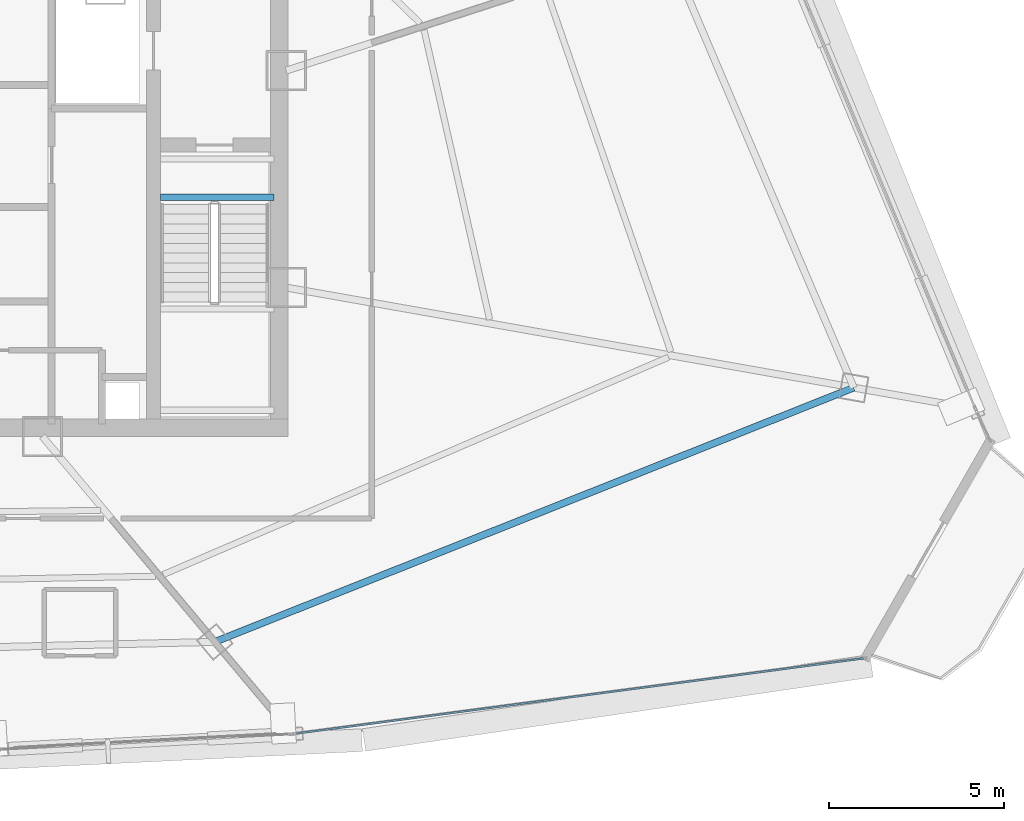
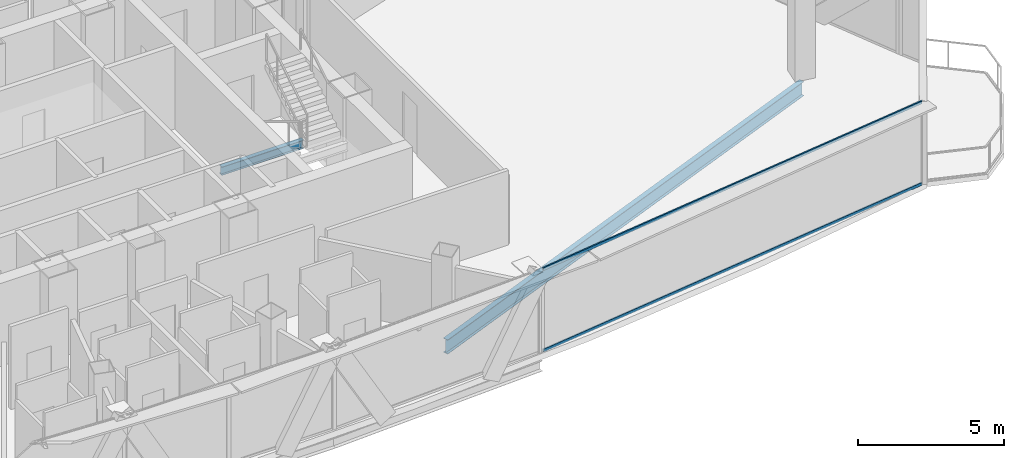
# One storey, part 14 of 39: 2 beams, 2 members, 1 element without a shape of its own.
"""IFC4 building model written with IfcOpenShell, lengths in metres."""

from ifc_helpers import new_model, si_unit, direction, frame, origin, origin_2d, place, context, subcontext, project, spatial, hollow_rectangle, i_section, extrude, source, transform, mapped, material, layer, layer_set, material_profile, profile_set, type_object, element, aggregate, save


model = new_model("IFC4")

# Units and contexts
model_context = context("Model", 3, precision=1e-05, world=origin(), true_north=direction((0.0, 1.0)))
body_context = subcontext(model_context, "Body", "Model", "MODEL_VIEW")
ifc_project = project(units=[si_unit("LENGTHUNIT", "METRE"), si_unit("AREAUNIT", "SQUARE_METRE"), si_unit("VOLUMEUNIT", "CUBIC_METRE"), si_unit("PLANEANGLEUNIT", "RADIAN"), si_unit("MASSUNIT", "GRAM", prefix="KILO"), si_unit("THERMODYNAMICTEMPERATUREUNIT", "KELVIN"), si_unit("POWERUNIT", "WATT")], contexts=[model_context])

# Site, building, storey
site_placement = place(None, origin())
site = spatial("IfcSite", under=ifc_project, at=site_placement, CompositionType="ELEMENT")
building_placement = place(site_placement, origin())
building = spatial("IfcBuilding", under=site, at=building_placement, Name="Yunzhuo Pagoda Commons", CompositionType="ELEMENT")
storey_placement = place(building_placement, frame((0.0, 0.0, 285.02001953125)))
storey = spatial("IfcBuildingStorey", under=building, at=storey_placement, Name="L71", CompositionType="ELEMENT", Elevation=285.02001953125)

# Beams
ifc_material_1 = material(Name="Structural steel Q355B", Category="steel")
ifc_material_profile_1 = material_profile(ifc_material_1, i_section(OverallWidth=0.175048828125, OverallDepth=0.35009765625, WebThickness=0.007080078125, FlangeThickness=0.010986328125, at=origin_2d()), Name="Structural steel Q355B")
ifc_profile_set_1 = profile_set([ifc_material_profile_1], Name="Structural steel Q355B")
beam_type_1 = type_object("IfcBeamType", Name="B-JS2 Joist HN 350x175x7x11", PredefinedType="JOIST", material=ifc_profile_set_1)
shared_shape_1 = source(origin(), body_context, "Body", "SweptSolid", [
    extrude(i_section(OverallWidth=0.175048828125, OverallDepth=0.35009765625, WebThickness=0.007080078125, FlangeThickness=0.010986328125, at=origin_2d()), origin(), (0.0, 0.0, 1.0), 3.25),
])
beam_1_placement = place(storey_placement, frame((56.800048828125, 34.10009765625, -0.374755859375), z_axis=(1.0, 0.0, 0.0), x_axis=(0.0, 1.0, 0.0)))
element("IfcBeam", 1, at=beam_1_placement, inside=storey, type_object=beam_type_1, Name="L71 ST2 landing support beam 175A", PredefinedType="JOIST", context=body_context, shape_type="MappedRepresentation", body=[
    mapped(shared_shape_1, transform((0.0, 0.0, 0.0), scale=1.0)),
])
ifc_material_profile_2 = material_profile(ifc_material_1, i_section(OverallWidth=0.199951171875, OverallDepth=0.60009765625, WebThickness=0.010986328125, FlangeThickness=0.01708984375, at=origin_2d()), Name="Structural steel Q355B")
ifc_profile_set_2 = profile_set([ifc_material_profile_2], Name="Structural steel Q355B")
beam_type_2 = type_object("IfcBeamType", Name="B-RG3 Beam HN 600x200x11x17", PredefinedType="BEAM", material=ifc_profile_set_2)
shared_shape_2 = source(origin(), body_context, "Body", "SweptSolid", [
    extrude(i_section(OverallWidth=0.199951171875, OverallDepth=0.60009765625, WebThickness=0.010986328125, FlangeThickness=0.01708984375, at=origin_2d()), origin(), (0.0, 0.0, 1.0), 19.7041015625),
])
beam_2_placement = place(storey_placement, frame((58.353515625, 21.361572265625, -0.56005859375), z_axis=(0.929150216007, 0.369702415592, 0.0), x_axis=(-0.369702415592, 0.929150216007, 0.0)))
element("IfcBeam", 2, at=beam_2_placement, inside=storey, type_object=beam_type_2, Name="L71 column-ring beam 4", PredefinedType="BEAM", context=body_context, shape_type="MappedRepresentation", body=[
    mapped(shared_shape_2, transform((0.0, 0.0, 0.0), scale=1.0)),
])

# Curtain wall, members
ifc_material_2 = material(Name="Anodized aluminium 6063-T6", Category="aluminium")
ifc_layer = layer(ifc_material_2, 0.139892578125)
ifc_layer_set = layer_set([ifc_layer], Name="Anodized aluminium 6063-T6")
curtain_wall_type = type_object("IfcCurtainWallType", Name="CW-HI High-Zone Ribbon Curtain Wall", PredefinedType="NOTDEFINED", material=ifc_layer_set)
curtain_wall_placement = place(storey_placement, origin())
curtain_wall = element("IfcCurtainWall", 3, at=curtain_wall_placement, inside=storey, type_object=curtain_wall_type, Name="L71 curtain wall CW-L71-F1B5", PredefinedType="NOTDEFINED")
ifc_material_profile_3 = material_profile(ifc_material_2, hollow_rectangle(XDim=0.054931640625, YDim=0.1201171875, WallThickness=0.00341796875, at=origin_2d()), Name="Anodized aluminium 6063-T6")
ifc_profile_set_3 = profile_set([ifc_material_profile_3], Name="Anodized aluminium 6063-T6")
member_type = type_object("IfcMemberType", Name="CW-HI-T Transom RHS 120x55x3.5", PredefinedType="USERDEFINED", material=ifc_profile_set_3)
shared_shape_3 = source(origin(), body_context, "Body", "SweptSolid", [
    extrude(hollow_rectangle(XDim=0.054931640625, YDim=0.1201171875, WallThickness=0.00341796875, at=origin_2d()), origin(), (0.0, 0.0, 1.0), 16.373779296875),
])
member_1_placement = place(storey_placement, frame((60.702392578125, 18.739013671875, 0.027587890625), z_axis=(0.991342383134, 0.131302244471, 0.0), x_axis=(-0.131302244471, 0.991342383134, 0.0)))
member_1 = element("IfcMember", 4, at=member_1_placement, type_object=member_type, Name="CW transom 1.1", ObjectType="TRANSOM", PredefinedType="USERDEFINED", context=body_context, shape_type="MappedRepresentation", body=[
    mapped(shared_shape_3, transform((0.0, 0.0, 0.0), scale=1.0)),
])
member_2_placement = place(storey_placement, frame((60.702392578125, 18.739013671875, 3.4423828125), z_axis=(0.991342383134, 0.131302244471, 0.0), x_axis=(-0.131302244471, 0.991342383134, 0.0)))
member_2 = element("IfcMember", 5, at=member_2_placement, type_object=member_type, Name="CW transom 1.2", ObjectType="TRANSOM", PredefinedType="USERDEFINED", context=body_context, shape_type="MappedRepresentation", body=[
    mapped(shared_shape_3, transform((0.0, 0.0, 0.0), scale=1.0)),
])
aggregate(curtain_wall, [member_1, member_2])

save(model, "model.ifc")
